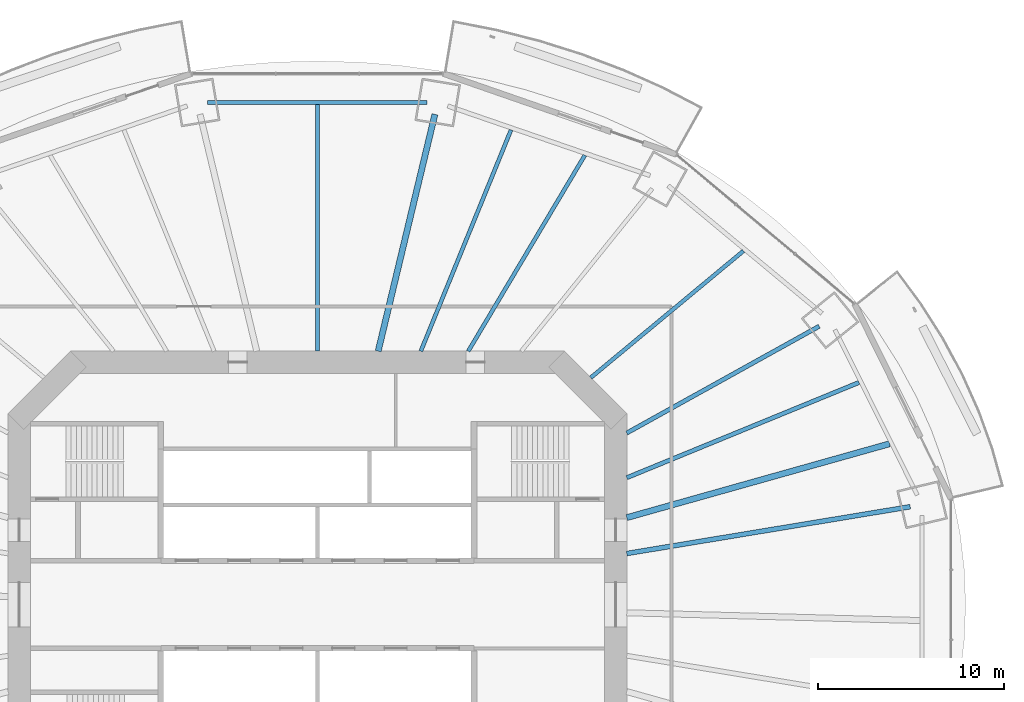
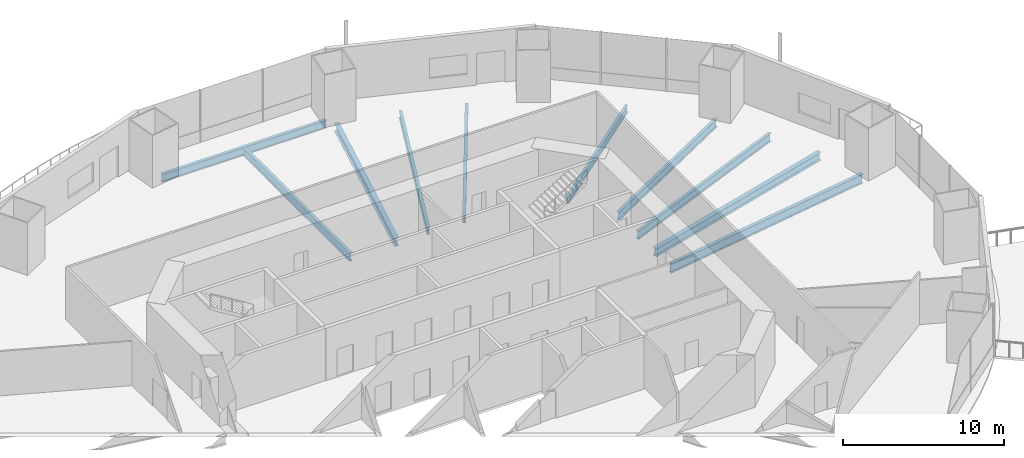
# One storey, part 8 of 22: 10 beams.
"""IFC4 building model written with IfcOpenShell, lengths in metres."""

from ifc_helpers import new_model, si_unit, direction, frame, origin, origin_2d, place, context, subcontext, project, spatial, i_section, extrude, material, material_profile, profile_set, type_object, element, save


model = new_model("IFC4")

# Units and contexts
model_context = context("Model", 3, precision=1e-05, world=origin(), true_north=direction((0.0, 1.0)))
body_context = subcontext(model_context, "Body", "Model", "MODEL_VIEW")
ifc_project = project(units=[si_unit("LENGTHUNIT", "METRE"), si_unit("AREAUNIT", "SQUARE_METRE"), si_unit("VOLUMEUNIT", "CUBIC_METRE"), si_unit("PLANEANGLEUNIT", "RADIAN"), si_unit("MASSUNIT", "GRAM", prefix="KILO")], contexts=[model_context])

# Site, building, storey
site_placement = place(None, origin())
site = spatial("IfcSite", under=ifc_project, at=site_placement, CompositionType="ELEMENT")
building_placement = place(site_placement, origin())
building = spatial("IfcBuilding", under=site, at=building_placement, Name="Marenthal Gate Tower", CompositionType="ELEMENT")
storey_placement = place(building_placement, frame((0.0, 0.0, 99.39990234375)))
storey = spatial("IfcBuildingStorey", under=building, at=storey_placement, Name="L20", CompositionType="ELEMENT", Elevation=99.39990234375)

# Beams
ifc_material_1 = material(Name="Steel S355", Category="steel")
ifc_material_profile_1 = material_profile(ifc_material_1, i_section(OverallWidth=0.2099609375, OverallDepth=0.535888671875, WebThickness=0.010986328125, FlangeThickness=0.017333984375, FilletRadius=0.0126953125, at=origin_2d()), Name="W530X101")
ifc_profile_set_1 = profile_set([ifc_material_profile_1], Name="Steel S355")
beam_type_1 = type_object("IfcBeamType", Name="W530X101 beam", PredefinedType="BEAM", material=ifc_profile_set_1)
beam_1_placement = place(storey_placement, frame((22.857666015625, 18.978759765625, -0.447998046875), z_axis=(-0.769368830907, -0.63880482311, 0.0), x_axis=(0.63880482311, -0.769368830907, 0.0)))
element("IfcBeam", 1, at=beam_1_placement, inside=storey, type_object=beam_type_1, Name="BM-L20-19", PredefinedType="BEAM", context=body_context, shape_type="SweptSolid", body=[
    extrude(i_section(OverallWidth=0.2099609375, OverallDepth=0.535888671875, WebThickness=0.010986328125, FlangeThickness=0.017333984375, FilletRadius=0.0126953125, at=origin_2d()), origin(), (0.0, 0.0, 1.0), 10.643310546875),
])
ifc_material_2 = material(Name="Steel S355", Category="steel")
ifc_material_profile_2 = material_profile(ifc_material_2, i_section(OverallWidth=0.2119140625, OverallDepth=0.5439453125, WebThickness=0.01318359375, FlangeThickness=0.021240234375, FilletRadius=0.0126953125, at=origin_2d()), Name="W530X123")
ifc_profile_set_2 = profile_set([ifc_material_profile_2], Name="Steel S355")
beam_type_2 = type_object("IfcBeamType", Name="W530X123 beam", PredefinedType="BEAM", material=ifc_profile_set_2)
beam_2_placement = place(storey_placement, frame((14.346923828125, 24.10986328125, -0.451904296875), z_axis=(-0.511368740727, -0.859361397206, 0.0), x_axis=(0.859361397206, -0.511368740727, 0.0)))
element("IfcBeam", 2, at=beam_2_placement, inside=storey, type_object=beam_type_2, Name="BM-L20-20", PredefinedType="BEAM", context=body_context, shape_type="SweptSolid", body=[
    extrude(i_section(OverallWidth=0.2119140625, OverallDepth=0.5439453125, WebThickness=0.01318359375, FlangeThickness=0.021240234375, FilletRadius=0.0126953125, at=origin_2d()), origin(), (0.0, 0.0, 1.0), 12.229736328125),
])
beam_3_placement = place(storey_placement, frame((10.3876953125, 25.4716796875, -0.451904296875), z_axis=(-0.377613822907, -0.925963174618, 0.0), x_axis=(0.925963174618, -0.377613822907, 0.0)))
element("IfcBeam", 3, at=beam_3_placement, inside=storey, type_object=beam_type_2, Name="BM-L20-21", PredefinedType="BEAM", context=body_context, shape_type="SweptSolid", body=[
    extrude(i_section(OverallWidth=0.2119140625, OverallDepth=0.5439453125, WebThickness=0.01318359375, FlangeThickness=0.021240234375, FilletRadius=0.0126953125, at=origin_2d()), origin(), (0.0, 0.0, 1.0), 12.82080078125),
])
ifc_material_3 = material(Name="Steel S355", Category="steel")
ifc_material_profile_3 = material_profile(ifc_material_3, i_section(OverallWidth=0.22900390625, OverallDepth=0.612060546875, WebThickness=0.011962890625, FlangeThickness=0.01953125, FilletRadius=0.0126953125, at=origin_2d()), Name="W610X125")
ifc_profile_set_3 = profile_set([ifc_material_profile_3], Name="Steel S355")
beam_type_3 = type_object("IfcBeamType", Name="W610X125 beam", PredefinedType="BEAM", material=ifc_profile_set_3)
beam_4_placement = place(storey_placement, frame((26.928466796875, 14.939697265625, -0.48583984375), z_axis=(-0.874435979354, -0.485140925929, 0.0), x_axis=(0.485140925929, -0.874435979354, 0.0)))
element("IfcBeam", 4, at=beam_4_placement, inside=storey, type_object=beam_type_3, Name="BM-L20-02", PredefinedType="BEAM", context=body_context, shape_type="SweptSolid", body=[
    extrude(i_section(OverallWidth=0.22900390625, OverallDepth=0.612060546875, WebThickness=0.011962890625, FlangeThickness=0.01953125, FilletRadius=0.0126953125, at=origin_2d()), origin(), (0.0, 0.0, 1.0), 11.8115234375),
])
beam_5_placement = place(storey_placement, frame((29.060302734375, 11.921630859375, -0.48583984375), z_axis=(-0.925176615925, -0.379536861642, 0.0), x_axis=(0.379536861642, -0.925176615925, 0.0)))
element("IfcBeam", 5, at=beam_5_placement, inside=storey, type_object=beam_type_3, Name="BM-L20-18", PredefinedType="BEAM", context=body_context, shape_type="SweptSolid", body=[
    extrude(i_section(OverallWidth=0.22900390625, OverallDepth=0.612060546875, WebThickness=0.011962890625, FlangeThickness=0.01953125, FilletRadius=0.0126953125, at=origin_2d()), origin(), (0.0, 0.0, 1.0), 13.468017578125),
])
beam_6_placement = place(storey_placement, frame((0.0, 26.83056640625, -0.48583984375), z_axis=(0.0, -1.0, 0.0), x_axis=(1.0, 0.0, 0.0)))
element("IfcBeam", 6, at=beam_6_placement, inside=storey, type_object=beam_type_3, Name="BM-L20-22", PredefinedType="BEAM", context=body_context, shape_type="SweptSolid", body=[
    extrude(i_section(OverallWidth=0.22900390625, OverallDepth=0.612060546875, WebThickness=0.011962890625, FlangeThickness=0.01953125, FilletRadius=0.0126953125, at=origin_2d()), origin(), (0.0, 0.0, 1.0), 13.23046875),
])
beam_7_placement = place(storey_placement, frame((5.890869140625, 26.945068359375, -0.48583984375), z_axis=(-1.0, 0.0, 0.0), x_axis=(0.0, -1.0, 0.0)))
element("IfcBeam", 7, at=beam_7_placement, inside=storey, type_object=beam_type_3, Name="BM-L20-44", PredefinedType="BEAM", context=body_context, shape_type="SweptSolid", body=[
    extrude(i_section(OverallWidth=0.22900390625, OverallDepth=0.612060546875, WebThickness=0.011962890625, FlangeThickness=0.01953125, FilletRadius=0.0126953125, at=origin_2d()), origin(), (0.0, 0.0, 1.0), 11.78173828125),
])
ifc_material_4 = material(Name="Steel S355", Category="steel")
ifc_material_profile_4 = material_profile(ifc_material_4, i_section(OverallWidth=0.324951171875, OverallDepth=0.612060546875, WebThickness=0.0126953125, FlangeThickness=0.01904296875, FilletRadius=0.0126953125, at=origin_2d()), Name="W610X155")
ifc_profile_set_4 = profile_set([ifc_material_profile_4], Name="Steel S355")
beam_type_4 = type_object("IfcBeamType", Name="W610X155 beam", PredefinedType="BEAM", material=ifc_profile_set_4)
beam_8_placement = place(storey_placement, frame((6.302978515625, 26.31005859375, -0.48583984375), z_axis=(-0.232977289633, -0.972482175937, 0.0), x_axis=(0.972482175937, -0.232977289633, 0.0)))
element("IfcBeam", 8, at=beam_8_placement, inside=storey, type_object=beam_type_4, Name="BM-L20-04", PredefinedType="BEAM", context=body_context, shape_type="SweptSolid", body=[
    extrude(i_section(OverallWidth=0.324951171875, OverallDepth=0.612060546875, WebThickness=0.0126953125, FlangeThickness=0.01904296875, FilletRadius=0.0126953125, at=origin_2d()), origin(), (0.0, 0.0, 1.0), 13.069580078125),
])
beam_9_placement = place(storey_placement, frame((30.701416015625, 8.631591796875, -0.48583984375), z_axis=(-0.962675778396, -0.270657247621, 0.0), x_axis=(0.270657247621, -0.962675778396, 0.0)))
element("IfcBeam", 9, at=beam_9_placement, inside=storey, type_object=beam_type_4, Name="BM-L20-17", PredefinedType="BEAM", context=body_context, shape_type="SweptSolid", body=[
    extrude(i_section(OverallWidth=0.324951171875, OverallDepth=0.612060546875, WebThickness=0.0126953125, FlangeThickness=0.01904296875, FilletRadius=0.0126953125, at=origin_2d()), origin(), (0.0, 0.0, 1.0), 14.64794921875),
])
ifc_material_5 = material(Name="Steel S355", Category="steel")
ifc_material_profile_5 = material_profile(ifc_material_5, i_section(OverallWidth=0.257080078125, OverallDepth=0.693115234375, WebThickness=0.014404296875, FlangeThickness=0.023681640625, FilletRadius=0.015380859375, at=origin_2d()), Name="W690X170")
ifc_profile_set_5 = profile_set([ifc_material_profile_5], Name="Steel S355")
beam_type_5 = type_object("IfcBeamType", Name="W690X170 beam", PredefinedType="BEAM", material=ifc_profile_set_5)
beam_10_placement = place(storey_placement, frame((31.80810546875, 5.25341796875, -0.5263671875), z_axis=(-0.986634295721, -0.162950196404, 0.0), x_axis=(0.162950196404, -0.986634295721, 0.0)))
element("IfcBeam", 10, at=beam_10_placement, inside=storey, type_object=beam_type_5, Name="BM-L20-01", PredefinedType="BEAM", context=body_context, shape_type="SweptSolid", body=[
    extrude(i_section(OverallWidth=0.257080078125, OverallDepth=0.693115234375, WebThickness=0.014404296875, FlangeThickness=0.023681640625, FilletRadius=0.015380859375, at=origin_2d()), origin(), (0.0, 0.0, 1.0), 15.4140625),
])

save(model, "model.ifc")
